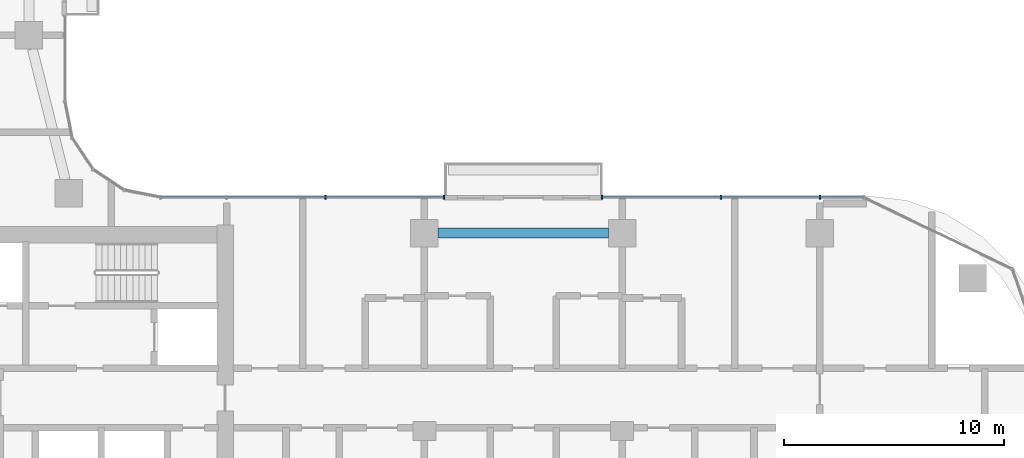
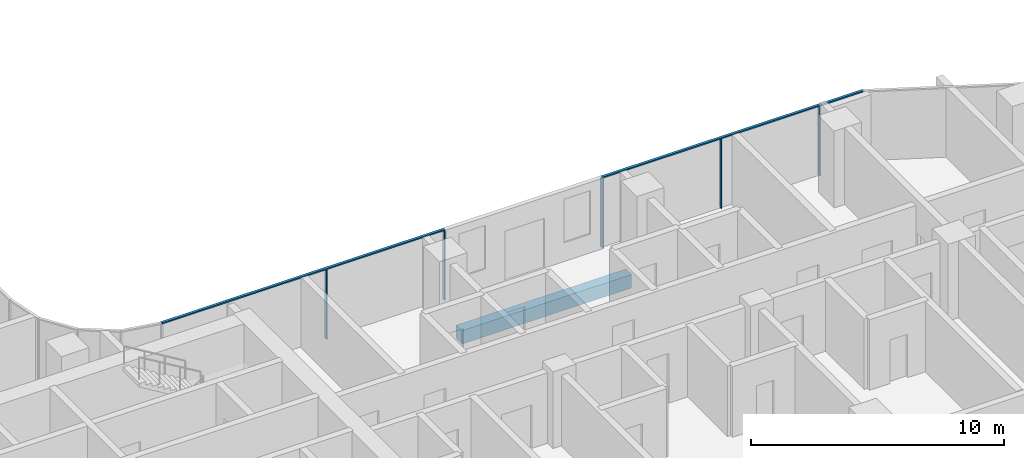
# One storey, part 4 of 23: 7 members, 1 beam, 2 elements without a shape of their own.
"""IFC4 building model written with IfcOpenShell, lengths in metres."""

import ifcopenshell
import ifcopenshell.guid

model = None  # the IFC model being written
_history = None  # IfcOwnerHistory: only IFC2X3 demands one
_inside = {}  # id of a spatial element -> (the spatial element, [elements in it])
_under = {}  # id of a project, library or spatial element -> (it, [spatial elements below it])
_declared = {}  # id of a project -> (the project, [libraries it declares])
_typed = {}  # id of a type object -> (the type object, [elements of that type])
_made_of = {}  # id of a material, layer set ... -> (it, [elements and type objects made of it])


def new_model(schema):
    """Start an empty IFC model of exactly this schema.

    Asked for "IFC4X3", IfcOpenShell would pick the latest addendum, in which some entities
    have other attributes; the version numbers below select the first issue.
    IFC2X3 requires an IfcOwnerHistory on every rooted entity: one is made here for all.
    """
    global model, _history
    if schema == "IFC4X3":
        model = ifcopenshell.file(schema_version=(4, 3, 0, 0))
    else:
        model = ifcopenshell.file(schema=schema)
    _inside.clear()
    _under.clear()
    _declared.clear()
    _typed.clear()
    _made_of.clear()
    _history = None
    if model.schema == "IFC2X3":
        org = make("IfcOrganization", Name="unknown")
        user = make(
            "IfcPersonAndOrganization",
            ThePerson=make("IfcPerson", FamilyName="unknown"),
            TheOrganization=org,
        )
        app = make(
            "IfcApplication",
            ApplicationDeveloper=org,
            Version="unknown",
            ApplicationFullName="unknown",
            ApplicationIdentifier="unknown",
        )
        _history = make(
            "IfcOwnerHistory",
            OwningUser=user,
            OwningApplication=app,
            ChangeAction="ADDED",
            CreationDate=0,
        )
    return model


def make(cls, **values):
    """One entity of the class cls with the attributes given. An attribute that is None is left unset."""
    return model.create_entity(
        cls, **{name: value for name, value in values.items() if value is not None}
    )


def rooted(cls, **values):
    """An entity with a GlobalId (a new one), such as an element, a storey or a relation."""
    return make(cls, GlobalId=ifcopenshell.guid.new(), OwnerHistory=_history, **values)


def si_unit(unit_type, name, prefix=None):
    """IfcSIUnit, for example si_unit("LENGTHUNIT", "METRE", prefix="MILLI")."""
    return make("IfcSIUnit", UnitType=unit_type, Prefix=prefix, Name=name)


def assignment(units):
    """IfcUnitAssignment: the units of a project."""
    return None if units is None else make("IfcUnitAssignment", Units=units)


def point(xyz):
    """IfcCartesianPoint."""
    return None if xyz is None else make("IfcCartesianPoint", Coordinates=xyz)


def direction(xyz):
    """IfcDirection."""
    return None if xyz is None else make("IfcDirection", DirectionRatios=xyz)


def frame(location, z_axis=None, x_axis=None):
    """IfcAxis2Placement3D, a coordinate frame: its origin and axes. An axis left out is left unset."""
    return make(
        "IfcAxis2Placement3D",
        Location=point(location),
        Axis=direction(z_axis),
        RefDirection=direction(x_axis),
    )


def frame_2d(location, x_axis=None):
    """IfcAxis2Placement2D, a coordinate frame in the plane: its origin and x axis."""
    return make(
        "IfcAxis2Placement2D", Location=point(location), RefDirection=direction(x_axis)
    )


def origin():
    """The frame at (0, 0, 0) with its axes left unset."""
    return frame((0.0, 0.0, 0.0))


def origin_2d():
    """The frame at (0, 0) in the plane with its x axis left unset."""
    return frame_2d((0.0, 0.0))


def place(relative_to, where):
    """IfcLocalPlacement: puts the frame where relative to a parent placement (None: the world)."""
    return make(
        "IfcLocalPlacement", PlacementRelTo=relative_to, RelativePlacement=where
    )


def context(
    kind, dimensions, precision=None, world=None, true_north=None, identifier=None
):
    """IfcGeometricRepresentationContext, for example the 3D "Model" context."""
    return make(
        "IfcGeometricRepresentationContext",
        ContextIdentifier=identifier,
        ContextType=kind,
        CoordinateSpaceDimension=dimensions,
        Precision=precision,
        WorldCoordinateSystem=world,
        TrueNorth=true_north,
    )


def subcontext(parent, identifier, kind, view, scale=None):
    """IfcGeometricRepresentationSubContext, for example "Body" below "Model"."""
    return make(
        "IfcGeometricRepresentationSubContext",
        ContextIdentifier=identifier,
        ContextType=kind,
        ParentContext=parent,
        TargetScale=scale,
        TargetView=view,
    )


def project(units=None, contexts=None):
    """IfcProject with its units and contexts."""
    return rooted(
        "IfcProject",
        Name="project",
        RepresentationContexts=contexts,
        UnitsInContext=assignment(units),
    )


def spatial(cls, under=None, at=None, **own):
    """A site, building, storey or space (cls), placed at a placement, below another one or the project."""
    s = rooted(cls, ObjectPlacement=at, **own)
    if under is not None:
        _under.setdefault(under.id(), (under, []))[1].append(s)
    return s


def profile(cls, at=None, kind="AREA", **sizes):
    """A parametric profile (cls). Its sizes go by their IFC names, for example OverallWidth=200.0."""
    return make(cls, ProfileType=kind, Position=at, **sizes)


def rectangle(**sizes):
    """IfcRectangleProfileDef."""
    return profile("IfcRectangleProfileDef", **sizes)


def extrude(swept, where, along, depth):
    """IfcExtrudedAreaSolid: the profile swept, set in the frame where, extruded along a direction by depth."""
    return make(
        "IfcExtrudedAreaSolid",
        SweptArea=swept,
        Position=where,
        ExtrudedDirection=direction(along),
        Depth=depth,
    )


def shape(context_of_items, identifier, shape_type, items):
    """IfcShapeRepresentation: the items that make up one representation, for example the "Body"."""
    return make(
        "IfcShapeRepresentation",
        ContextOfItems=context_of_items,
        RepresentationIdentifier=identifier,
        RepresentationType=shape_type,
        Items=items,
    )


def material(Name=None, Category=None):
    """IfcMaterial."""
    return make("IfcMaterial", Name=Name, Category=Category)


def material_profile(
    of_material, cross_section, Name=None, Category=None, Priority=None
):
    """IfcMaterialProfile: a cross section and its material."""
    return make(
        "IfcMaterialProfile",
        Name=Name,
        Material=of_material,
        Profile=cross_section,
        Priority=Priority,
        Category=Category,
    )


def profile_set(profiles, Name=None, composite=None):
    """IfcMaterialProfileSet."""
    return make(
        "IfcMaterialProfileSet",
        Name=Name,
        MaterialProfiles=profiles,
        CompositeProfile=composite,
    )


def made_of(thing, what):
    """Note that an element or type object is made of a material, layer set ...; save() writes the relation."""
    if what is not None:
        _made_of.setdefault(what.id(), (what, []))[1].append(thing)
    return thing


def type_object(cls, material=None, **own):
    """A type object (cls), such as IfcWallType, which elements share."""
    return made_of(rooted(cls, **own), material)


def element(
    cls,
    number,
    at=None,
    inside=None,
    cuts=None,
    type_object=None,
    material=None,
    context=None,
    identifier="Body",
    shape_type=None,
    held_by="IfcProductDefinitionShape",
    body=None,
    shapes=None,
    **own,
):
    """One element of the class cls, such as IfcWall. Its Tag is "e" and its number.

    at: its placement. inside: the storey or other place that contains it. cuts: it is an
    opening in that element (IfcRelVoidsElement). A single representation is given by context,
    identifier, shape_type and body (its items); several are given by shapes. held_by: the class
    of the entity that holds the representations. save() writes the other relations.
    """
    e = rooted(cls, Tag="e%d" % number, ObjectPlacement=at, **own)
    if body is not None:
        shapes = [shape(context, identifier, shape_type, body)]
    if shapes is not None:
        e.Representation = make(held_by, Representations=shapes)
    if inside is not None:
        _inside.setdefault(inside.id(), (inside, []))[1].append(e)
    if cuts is not None:
        rooted(
            "IfcRelVoidsElement", RelatingBuildingElement=cuts, RelatedOpeningElement=e
        )
    if type_object is not None:
        _typed.setdefault(type_object.id(), (type_object, []))[1].append(e)
    return made_of(e, material)


def aggregate(whole, parts):
    """IfcRelAggregates: a whole, such as a stair, and the parts it consists of."""
    return rooted("IfcRelAggregates", RelatingObject=whole, RelatedObjects=parts)


def save(model, path):
    """Write the relations noted so far, then the file.

    IfcRelAggregates (storeys below a building ...), IfcRelContainedInSpatialStructure (elements
    in a storey), IfcRelDefinesByType, IfcRelAssociatesMaterial and IfcRelDeclares: one each for
    every whole, place, type object, material and project.
    """
    for whole, parts in _under.values():
        aggregate(whole, parts)
    for where, things in _inside.values():
        rooted(
            "IfcRelContainedInSpatialStructure",
            RelatedElements=things,
            RelatingStructure=where,
        )
    for kind, things in _typed.values():
        rooted("IfcRelDefinesByType", RelatedObjects=things, RelatingType=kind)
    for what, things in _made_of.values():
        rooted("IfcRelAssociatesMaterial", RelatedObjects=things, RelatingMaterial=what)
    for by, libraries in _declared.values():
        rooted("IfcRelDeclares", RelatingContext=by, RelatedDefinitions=libraries)
    model.write(path)


model = new_model("IFC4")

# Units and contexts
model_context = context("Model", 3, precision=1e-05, world=origin(), true_north=direction((0.0, 1.0)))
body_context = subcontext(model_context, "Body", "Model", "MODEL_VIEW")
ifc_project = project(units=[si_unit("LENGTHUNIT", "METRE"), si_unit("AREAUNIT", "SQUARE_METRE"), si_unit("VOLUMEUNIT", "CUBIC_METRE"), si_unit("PLANEANGLEUNIT", "RADIAN"), si_unit("MASSUNIT", "GRAM", prefix="KILO")], contexts=[model_context])

# Site, building, storey
site_placement = place(None, origin())
site = spatial("IfcSite", under=ifc_project, at=site_placement, CompositionType="ELEMENT")
building_placement = place(site_placement, origin())
building = spatial("IfcBuilding", under=site, at=building_placement, Name="Ogive Portal Towers", CompositionType="ELEMENT")
storey_placement = place(building_placement, frame((0.0, 0.0, 127.800048828125)))
storey = spatial("IfcBuildingStorey", under=building, at=storey_placement, Name="L31", CompositionType="ELEMENT", Elevation=127.800048828125)

# Curtain wall, members
ifc_material_1 = material(Name="Glass, clear low-iron insulated glazing", Category="glass")
curtain_wall_type = type_object("IfcCurtainWallType", Name="CW FRONT RIBBON 4500", PredefinedType="NOTDEFINED", material=ifc_material_1)
curtain_wall_1_placement = place(storey_placement, origin())
curtain_wall_1 = element("IfcCurtainWall", 1, at=curtain_wall_1_placement, inside=storey, type_object=curtain_wall_type, Name="A:L31:f13:cw0", PredefinedType="NOTDEFINED")
ifc_material_2 = material(Name="Aluminium 6063 anodised", Category="aluminium")
ifc_material_profile_1 = material_profile(ifc_material_2, rectangle(XDim=0.159912109375, YDim=0.06005859375, at=origin_2d()), Name="AL 60x160")
ifc_profile_set_1 = profile_set([ifc_material_profile_1], Name="Aluminium 6063 anodised")
member_type_1 = type_object("IfcMemberType", Name="CW MULLION 60x160", PredefinedType="MULLION", material=ifc_profile_set_1)
member_1_placement = place(storey_placement, frame((85.5, 41.135009765625, 0.0), z_axis=(0.0, 0.0, 1.0), x_axis=(0.0, -1.0, 0.0)))
member_1 = element("IfcMember", 2, at=member_1_placement, type_object=member_type_1, Name="mullion", PredefinedType="MULLION", context=body_context, shape_type="SweptSolid", body=[
    extrude(rectangle(XDim=0.159912109375, YDim=0.06005859375, at=origin_2d()), origin(), (0.0, 0.0, 1.0), 3.33984375),
])
member_2_placement = place(storey_placement, frame((81.0, 41.135009765625, 0.0), z_axis=(0.0, 0.0, 1.0), x_axis=(0.0, -1.0, 0.0)))
member_2 = element("IfcMember", 3, at=member_2_placement, type_object=member_type_1, Name="mullion", PredefinedType="MULLION", context=body_context, shape_type="SweptSolid", body=[
    extrude(rectangle(XDim=0.159912109375, YDim=0.06005859375, at=origin_2d()), origin(), (0.0, 0.0, 1.0), 3.33984375),
])
member_3_placement = place(storey_placement, frame((75.585693359375, 41.135009765625, 0.0), z_axis=(0.0, 0.0, 1.0), x_axis=(0.0, -1.0, 0.0)))
member_3 = element("IfcMember", 4, at=member_3_placement, type_object=member_type_1, Name="mullion", PredefinedType="MULLION", context=body_context, shape_type="SweptSolid", body=[
    extrude(rectangle(XDim=0.159912109375, YDim=0.06005859375, at=origin_2d()), origin(), (0.0, 0.0, 1.0), 3.33984375),
])

curtain_wall_2_placement = place(storey_placement, origin())
curtain_wall_2 = element("IfcCurtainWall", 5, at=curtain_wall_2_placement, inside=storey, type_object=curtain_wall_type, Name="A:L31:f13:cw1", PredefinedType="NOTDEFINED")
member_4_placement = place(storey_placement, frame((68.387939453125, 41.135009765625, 0.0), z_axis=(0.0, 0.0, 1.0), x_axis=(0.0, -1.0, 0.0)))
member_4 = element("IfcMember", 6, at=member_4_placement, type_object=member_type_1, Name="mullion", PredefinedType="MULLION", context=body_context, shape_type="SweptSolid", body=[
    extrude(rectangle(XDim=0.159912109375, YDim=0.06005859375, at=origin_2d()), origin(), (0.0, 0.0, 1.0), 3.33984375),
])
member_5_placement = place(storey_placement, frame((63.0, 41.135009765625, 0.0), z_axis=(0.0, 0.0, 1.0), x_axis=(0.0, -1.0, 0.0)))
member_5 = element("IfcMember", 7, at=member_5_placement, type_object=member_type_1, Name="mullion", PredefinedType="MULLION", context=body_context, shape_type="SweptSolid", body=[
    extrude(rectangle(XDim=0.159912109375, YDim=0.06005859375, at=origin_2d()), origin(), (0.0, 0.0, 1.0), 3.33984375),
])

# Member
ifc_material_profile_2 = material_profile(ifc_material_2, rectangle(XDim=0.1201171875, YDim=0.06005859375, at=origin_2d()), Name="AL 120x60")
ifc_profile_set_2 = profile_set([ifc_material_profile_2], Name="Aluminium 6063 anodised")
member_type_2 = type_object("IfcMemberType", Name="CW TRANSOM 60x120", PredefinedType="USERDEFINED", material=ifc_profile_set_2)
member_6_placement = place(storey_placement, frame((87.481689453125, 41.135009765625, 3.369873046875), z_axis=(-1.0, 0.0, 0.0), x_axis=(0.0, -1.0, 0.0)))
member_6 = element("IfcMember", 8, at=member_6_placement, type_object=member_type_2, Name="transom", ObjectType="TRANSOM", PredefinedType="USERDEFINED", context=body_context, shape_type="SweptSolid", body=[
    extrude(rectangle(XDim=0.1201171875, YDim=0.06005859375, at=origin_2d()), origin(), (0.0, 0.0, 1.0), 11.89599609375),
])

aggregate(curtain_wall_1, [member_6, member_1, member_2, member_3])

member_7_placement = place(storey_placement, frame((68.387939453125, 41.135009765625, 3.369873046875), z_axis=(-1.0, 0.0, 0.0), x_axis=(0.0, -1.0, 0.0)))
member_7 = element("IfcMember", 9, at=member_7_placement, type_object=member_type_2, Name="transom", ObjectType="TRANSOM", PredefinedType="USERDEFINED", context=body_context, shape_type="SweptSolid", body=[
    extrude(rectangle(XDim=0.1201171875, YDim=0.06005859375, at=origin_2d()), origin(), (0.0, 0.0, 1.0), 12.895751953125),
])

aggregate(curtain_wall_2, [member_7, member_4, member_5])

# Beam
ifc_material_3 = material(Name="Concrete C50/60", Category="concrete")
ifc_material_profile_3 = material_profile(ifc_material_3, rectangle(XDim=0.449951171875, YDim=0.64990234375, at=origin_2d()), Name="RC 450x650")
ifc_profile_set_3 = profile_set([ifc_material_profile_3], Name="Concrete C50/60")
beam_type = type_object("IfcBeamType", Name="SPANDREL BEAM RC 450x650", PredefinedType="BEAM", material=ifc_profile_set_3)
beam_placement = place(storey_placement, frame((68.125, 39.5, -0.625), z_axis=(1.0, 0.0, 0.0), x_axis=(0.0, 1.0, 0.0)))
element("IfcBeam", 10, at=beam_placement, inside=storey, type_object=beam_type, Name="Spandrel beam L31", PredefinedType="BEAM", context=body_context, shape_type="SweptSolid", body=[
    extrude(rectangle(XDim=0.449951171875, YDim=0.64990234375, at=origin_2d()), origin(), (0.0, 0.0, 1.0), 7.75),
])

save(model, "model.ifc")
